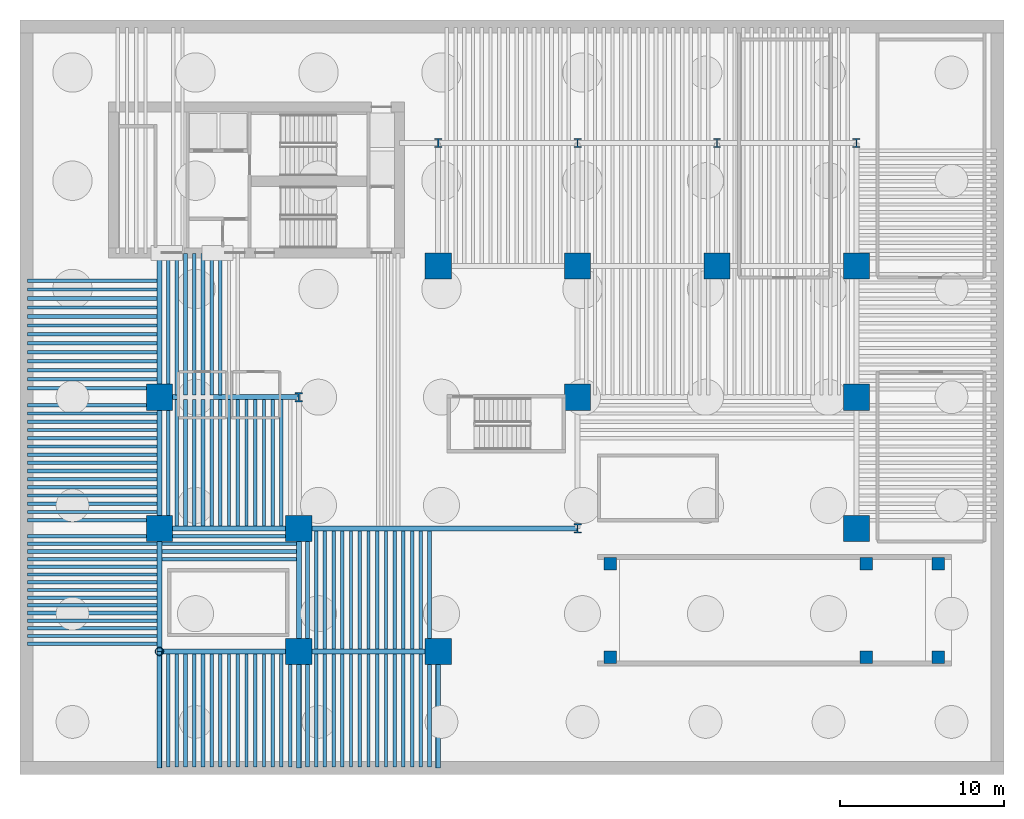
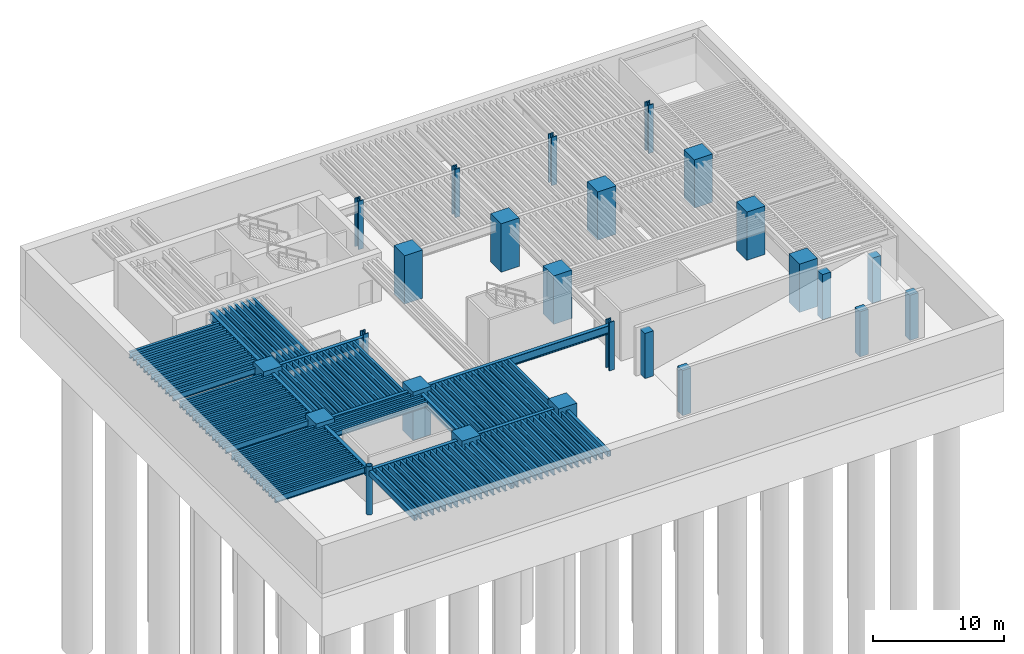
# One storey, part 2 of 11: 125 beams, 25 columns.
"""IFC4 building model written with IfcOpenShell, lengths in metres."""

from ifc_helpers import new_model, si_unit, direction, frame, origin, origin_2d, place, context, subcontext, project, spatial, rectangle, hollow_rectangle, hollow_circle, i_section, extrude, material, material_profile, profile_set, type_object, element, save


model = new_model("IFC4")

# Units and contexts
model_context = context("Model", 3, precision=1e-05, world=origin(), true_north=direction((0.0, 1.0)))
body_context = subcontext(model_context, "Body", "Model", "MODEL_VIEW")
ifc_project = project(units=[si_unit("LENGTHUNIT", "METRE"), si_unit("AREAUNIT", "SQUARE_METRE"), si_unit("VOLUMEUNIT", "CUBIC_METRE"), si_unit("PLANEANGLEUNIT", "RADIAN"), si_unit("MASSUNIT", "GRAM", prefix="KILO")], contexts=[model_context])

# Site, building, storey
site_placement = place(None, origin())
site = spatial("IfcSite", under=ifc_project, at=site_placement, CompositionType="ELEMENT")
building_placement = place(site_placement, origin())
building = spatial("IfcBuilding", under=site, at=building_placement, Name="Caeloran Harvest Quay", CompositionType="ELEMENT")
storey_placement = place(building_placement, frame((0.0, 0.0, -18.0)))
storey = spatial("IfcBuildingStorey", under=building, at=storey_placement, Name="B04", CompositionType="ELEMENT", Elevation=-18.0)

# Columns
ifc_material_1 = material(Name="Steel HISTAR 460", Category="steel")
ifc_material_profile_1 = material_profile(ifc_material_1, hollow_circle(Radius=0.25390625, WallThickness=0.02490234375, at=origin_2d()), Name="CHS 508x25")
ifc_profile_set_1 = profile_set([ifc_material_profile_1], Name="Steel HISTAR 460")
column_type_1 = type_object("IfcColumnType", Name="COL-CC-1-CHS_508x25", PredefinedType="COLUMN", material=ifc_profile_set_1)
column_placement = place(storey_placement, frame((8.5, 7.5, 0.0), z_axis=(0.0, 0.0, 1.0), x_axis=(1.0, 0.0, 0.0)))
element("IfcColumn", 1, at=column_placement, inside=storey, type_object=column_type_1, Name="B04 Structural Column (8.5, 7.5)", PredefinedType="COLUMN", context=body_context, shape_type="SweptSolid", body=[
    extrude(hollow_circle(Radius=0.25390625, WallThickness=0.02490234375, at=origin_2d()), origin(), (0.0, 0.0, 1.0), 4.5),
])
ifc_material_2 = material(Name="Concrete C80/95", Category="concrete")
ifc_material_profile_2 = material_profile(ifc_material_2, rectangle(XDim=1.60009765625, YDim=1.60009765625, at=origin_2d()), Name="RC 1600x1600")
ifc_profile_set_2 = profile_set([ifc_material_profile_2], Name="Concrete C80/95")
column_type_2 = type_object("IfcColumnType", Name="COL-MC-1-RC_1600x1600", PredefinedType="COLUMN", material=ifc_profile_set_2)
for number, where, z_axis, x_axis, name in (
    (2, (8.5, 15.0, 0.0), (0.0, 0.0, 1.0), (1.0, 0.0, 0.0), "B04 Structural Column (8.5, 15.0)"),
    (3, (8.5, 23.0, 0.0), (0.0, 0.0, 1.0), (1.0, 0.0, 0.0), "B04 Structural Column (8.5, 23.0)"),
    (4, (17.0, 7.5, 0.0), (0.0, 0.0, 1.0), (1.0, 0.0, 0.0), "B04 Structural Column (17.0, 7.5)"),
    (5, (17.0, 15.0, 0.0), (0.0, 0.0, 1.0), (1.0, 0.0, 0.0), "B04 Structural Column (17.0, 15.0)"),
    (6, (25.5, 7.5, 0.0), (0.0, 0.0, 1.0), (1.0, 0.0, 0.0), "B04 Structural Column (25.5, 7.5)"),
    (7, (25.5, 31.0, 0.0), (0.0, 0.0, 1.0), (1.0, 0.0, 0.0), "B04 Structural Column (25.5, 31.0)"),
    (8, (34.0, 23.0, 0.0), (0.0, 0.0, 1.0), (1.0, 0.0, 0.0), "B04 Structural Column (34.0, 23.0)"),
    (9, (34.0, 31.0, 0.0), (0.0, 0.0, 1.0), (1.0, 0.0, 0.0), "B04 Structural Column (34.0, 31.0)"),
    (10, (42.5, 31.0, 0.0), (0.0, 0.0, 1.0), (1.0, 0.0, 0.0), "B04 Structural Column (42.5, 31.0)"),
    (11, (51.0, 15.0, 0.0), (0.0, 0.0, 1.0), (1.0, 0.0, 0.0), "B04 Structural Column (51.0, 15.0)"),
    (12, (51.0, 23.0, 0.0), (0.0, 0.0, 1.0), (1.0, 0.0, 0.0), "B04 Structural Column (51.0, 23.0)"),
    (13, (51.0, 31.0, 0.0), (0.0, 0.0, 1.0), (1.0, 0.0, 0.0), "B04 Structural Column (51.0, 31.0)"),
):
    element("IfcColumn", number, at=place(storey_placement, frame(where, z_axis=z_axis, x_axis=x_axis)), inside=storey, type_object=column_type_2, Name=name, PredefinedType="COLUMN", context=body_context, shape_type="SweptSolid", body=[
        extrude(rectangle(XDim=1.60009765625, YDim=1.60009765625, at=origin_2d()), origin(), (0.0, 0.0, 1.0), 4.5),
    ])
ifc_material_3 = material(Name="Concrete C60/75", Category="concrete")
ifc_material_profile_3 = material_profile(ifc_material_3, rectangle(XDim=0.75, YDim=0.75, at=origin_2d()), Name="RC 750x750")
ifc_profile_set_3 = profile_set([ifc_material_profile_3], Name="Concrete C60/75")
column_type_3 = type_object("IfcColumnType", Name="COL-MC-5-RC_750x750", PredefinedType="COLUMN", material=ifc_profile_set_3)
for number, where, z_axis, x_axis, name in (
    (14, (36.0, 7.14990234375, 0.0), (0.0, 0.0, 1.0), (1.0, 0.0, 0.0), "B04 Vehicle Ramp Support Pier (36.0, 7.2)"),
    (15, (36.0, 12.85009765625, 0.0), (0.0, 0.0, 1.0), (1.0, 0.0, 0.0), "B04 Vehicle Ramp Support Pier (36.0, 12.8)"),
    (16, (51.60009765625, 7.14990234375, 0.0), (0.0, 0.0, 1.0), (1.0, 0.0, 0.0), "B04 Vehicle Ramp Support Pier (51.6, 7.2)"),
    (17, (51.60009765625, 12.85009765625, 0.0), (0.0, 0.0, 1.0), (1.0, 0.0, 0.0), "B04 Vehicle Ramp Support Pier (51.6, 12.8)"),
    (18, (56.0, 7.14990234375, 0.0), (0.0, 0.0, 1.0), (1.0, 0.0, 0.0), "B04 Vehicle Ramp Support Pier (56.0, 7.2)"),
    (19, (56.0, 12.85009765625, 0.0), (0.0, 0.0, 1.0), (1.0, 0.0, 0.0), "B04 Vehicle Ramp Support Pier (56.0, 12.8)"),
):
    element("IfcColumn", number, at=place(storey_placement, frame(where, z_axis=z_axis, x_axis=x_axis)), inside=storey, type_object=column_type_3, Name=name, PredefinedType="COLUMN", context=body_context, shape_type="SweptSolid", body=[
        extrude(rectangle(XDim=0.75, YDim=0.75, at=origin_2d()), origin(), (0.0, 0.0, 1.0), 4.199951171875),
    ])
ifc_material_profile_4 = material_profile(ifc_material_1, i_section(OverallWidth=0.4541015625, OverallDepth=0.569091796875, WebThickness=0.077880859375, FlangeThickness=0.080078125, FilletRadius=0.014892578125, at=origin_2d()), Name="HD 400x1086")
ifc_profile_set_4 = profile_set([ifc_material_profile_4], Name="Steel HISTAR 460")
column_type_4 = type_object("IfcColumnType", Name="COL-SC-1-HD_400x1086", PredefinedType="COLUMN", material=ifc_profile_set_4)
for number, where, z_axis, x_axis, name in (
    (20, (17.0, 23.0, 0.0), (0.0, 0.0, 1.0), (1.0, 0.0, 0.0), "B04 Structural Column (17.0, 23.0)"),
    (21, (25.5, 38.5, 0.0), (0.0, 0.0, 1.0), (1.0, 0.0, 0.0), "B04 Structural Column (25.5, 38.5)"),
    (22, (34.0, 15.0, 0.0), (0.0, 0.0, 1.0), (1.0, 0.0, 0.0), "B04 Structural Column (34.0, 15.0)"),
    (23, (34.0, 38.5, 0.0), (0.0, 0.0, 1.0), (1.0, 0.0, 0.0), "B04 Structural Column (34.0, 38.5)"),
    (24, (42.5, 38.5, 0.0), (0.0, 0.0, 1.0), (1.0, 0.0, 0.0), "B04 Structural Column (42.5, 38.5)"),
    (25, (51.0, 38.5, 0.0), (0.0, 0.0, 1.0), (1.0, 0.0, 0.0), "B04 Structural Column (51.0, 38.5)"),
):
    element("IfcColumn", number, at=place(storey_placement, frame(where, z_axis=z_axis, x_axis=x_axis)), inside=storey, type_object=column_type_4, Name=name, PredefinedType="COLUMN", context=body_context, shape_type="SweptSolid", body=[
        extrude(i_section(OverallWidth=0.4541015625, OverallDepth=0.569091796875, WebThickness=0.077880859375, FlangeThickness=0.080078125, FilletRadius=0.014892578125, at=origin_2d()), origin(), (0.0, 0.0, 1.0), 4.5),
    ])

# Beams
ifc_material_4 = material(Name="Steel S355J2", Category="steel")
ifc_material_profile_5 = material_profile(ifc_material_4, i_section(OverallWidth=0.300048828125, OverallDepth=0.800048828125, WebThickness=0.017578125, FlangeThickness=0.032958984375, FilletRadius=0.030029296875, at=origin_2d()), Name="HE 800 B")
ifc_profile_set_5 = profile_set([ifc_material_profile_5], Name="Steel S355J2")
beam_type_1 = type_object("IfcBeamType", Name="BM-PG-1-HE_800_B", PredefinedType="BEAM", material=ifc_profile_set_5)
for number, where, z_axis, x_axis, name in (
    (26, (8.5, 7.5, 3.735107421875), (1.0, 0.0, 0.0), (0.0, 1.0, 0.0), "B04 Primary East-West Girder Y=7.5"),
    (27, (17.0, 7.5, 3.735107421875), (1.0, 0.0, 0.0), (0.0, 1.0, 0.0), "B04 Primary East-West Girder Y=7.5"),
    (28, (8.5, 15.0, 3.735107421875), (1.0, 0.0, 0.0), (0.0, 1.0, 0.0), "B04 Primary East-West Girder Y=15.0"),
):
    element("IfcBeam", number, at=place(storey_placement, frame(where, z_axis=z_axis, x_axis=x_axis)), inside=storey, type_object=beam_type_1, Name=name, PredefinedType="BEAM", context=body_context, shape_type="SweptSolid", body=[
        extrude(i_section(OverallWidth=0.300048828125, OverallDepth=0.800048828125, WebThickness=0.017578125, FlangeThickness=0.032958984375, FilletRadius=0.030029296875, at=origin_2d()), origin(), (0.0, 0.0, 1.0), 8.5),
    ])
beam_1_placement = place(storey_placement, frame((17.0, 15.0, 3.735107421875), z_axis=(1.0, 0.0, 0.0), x_axis=(0.0, 1.0, 0.0)))
element("IfcBeam", 29, at=beam_1_placement, inside=storey, type_object=beam_type_1, Name="B04 Primary East-West Girder Y=15.0", PredefinedType="BEAM", context=body_context, shape_type="SweptSolid", body=[
    extrude(i_section(OverallWidth=0.300048828125, OverallDepth=0.800048828125, WebThickness=0.017578125, FlangeThickness=0.032958984375, FilletRadius=0.030029296875, at=origin_2d()), origin(), (0.0, 0.0, 1.0), 17.0),
])
beam_2_placement = place(storey_placement, frame((8.5, 23.0, 3.735107421875), z_axis=(1.0, 0.0, 0.0), x_axis=(0.0, 1.0, 0.0)))
element("IfcBeam", 30, at=beam_2_placement, inside=storey, type_object=beam_type_1, Name="B04 Primary East-West Girder Y=23.0", PredefinedType="BEAM", context=body_context, shape_type="SweptSolid", body=[
    extrude(i_section(OverallWidth=0.300048828125, OverallDepth=0.800048828125, WebThickness=0.017578125, FlangeThickness=0.032958984375, FilletRadius=0.030029296875, at=origin_2d()), origin(), (0.0, 0.0, 1.0), 8.5),
])
beam_3_placement = place(storey_placement, frame((8.5, 7.5, 3.735107421875), z_axis=(0.0, 1.0, 0.0), x_axis=(-1.0, 0.0, 0.0)))
element("IfcBeam", 31, at=beam_3_placement, inside=storey, type_object=beam_type_1, Name="B04 Primary North-South Girder X=8.5", PredefinedType="BEAM", context=body_context, shape_type="SweptSolid", body=[
    extrude(i_section(OverallWidth=0.300048828125, OverallDepth=0.800048828125, WebThickness=0.017578125, FlangeThickness=0.032958984375, FilletRadius=0.030029296875, at=origin_2d()), origin(), (0.0, 0.0, 1.0), 7.5),
])
beam_4_placement = place(storey_placement, frame((8.5, 15.0, 3.735107421875), z_axis=(0.0, 1.0, 0.0), x_axis=(-1.0, 0.0, 0.0)))
element("IfcBeam", 32, at=beam_4_placement, inside=storey, type_object=beam_type_1, Name="B04 Primary North-South Girder X=8.5", PredefinedType="BEAM", context=body_context, shape_type="SweptSolid", body=[
    extrude(i_section(OverallWidth=0.300048828125, OverallDepth=0.800048828125, WebThickness=0.017578125, FlangeThickness=0.032958984375, FilletRadius=0.030029296875, at=origin_2d()), origin(), (0.0, 0.0, 1.0), 8.0),
])
beam_5_placement = place(storey_placement, frame((8.5, 23.0, 3.735107421875), z_axis=(0.0, 1.0, 0.0), x_axis=(-1.0, 0.0, 0.0)))
element("IfcBeam", 33, at=beam_5_placement, inside=storey, type_object=beam_type_1, Name="B04 Core South Tie Girder X=8.5", PredefinedType="BEAM", context=body_context, shape_type="SweptSolid", body=[
    extrude(i_section(OverallWidth=0.300048828125, OverallDepth=0.800048828125, WebThickness=0.017578125, FlangeThickness=0.032958984375, FilletRadius=0.030029296875, at=origin_2d()), origin(), (0.0, 0.0, 1.0), 8.75),
])
beam_6_placement = place(storey_placement, frame((17.0, 7.5, 3.735107421875), z_axis=(0.0, 1.0, 0.0), x_axis=(-1.0, 0.0, 0.0)))
element("IfcBeam", 34, at=beam_6_placement, inside=storey, type_object=beam_type_1, Name="B04 Primary North-South Girder X=17.0", PredefinedType="BEAM", context=body_context, shape_type="SweptSolid", body=[
    extrude(i_section(OverallWidth=0.300048828125, OverallDepth=0.800048828125, WebThickness=0.017578125, FlangeThickness=0.032958984375, FilletRadius=0.030029296875, at=origin_2d()), origin(), (0.0, 0.0, 1.0), 7.5),
])
ifc_material_profile_6 = material_profile(ifc_material_4, i_section(OverallWidth=0.219970703125, OverallDepth=0.60009765625, WebThickness=0.011962890625, FlangeThickness=0.01904296875, FilletRadius=0.02392578125, at=origin_2d()), Name="IPE 600")
ifc_profile_set_6 = profile_set([ifc_material_profile_6], Name="Steel S355J2")
beam_type_2 = type_object("IfcBeamType", Name="BM-SB-1-IPE_600", PredefinedType="JOIST", material=ifc_profile_set_6)
for number, where, z_axis, x_axis, name in (
    (35, (9.03125, 0.449951171875, 3.8349609375), (0.0, 1.0, 0.0), (-1.0, 0.0, 0.0), "B04 Secondary Composite Joist"),
    (36, (10.09375, 0.449951171875, 3.8349609375), (0.0, 1.0, 0.0), (-1.0, 0.0, 0.0), "B04 Secondary Composite Joist"),
    (37, (11.15625, 0.449951171875, 3.8349609375), (0.0, 1.0, 0.0), (-1.0, 0.0, 0.0), "B04 Secondary Composite Joist"),
    (38, (12.21875, 0.449951171875, 3.8349609375), (0.0, 1.0, 0.0), (-1.0, 0.0, 0.0), "B04 Secondary Composite Joist"),
    (39, (13.28125, 0.449951171875, 3.8349609375), (0.0, 1.0, 0.0), (-1.0, 0.0, 0.0), "B04 Secondary Composite Joist"),
    (40, (14.34375, 0.449951171875, 3.8349609375), (0.0, 1.0, 0.0), (-1.0, 0.0, 0.0), "B04 Secondary Composite Joist"),
    (41, (15.40625, 0.449951171875, 3.8349609375), (0.0, 1.0, 0.0), (-1.0, 0.0, 0.0), "B04 Secondary Composite Joist"),
    (42, (16.46875, 0.449951171875, 3.8349609375), (0.0, 1.0, 0.0), (-1.0, 0.0, 0.0), "B04 Secondary Composite Joist"),
    (43, (17.53125, 0.449951171875, 3.8349609375), (0.0, 1.0, 0.0), (-1.0, 0.0, 0.0), "B04 Secondary Composite Joist"),
    (44, (18.59375, 0.449951171875, 3.8349609375), (0.0, 1.0, 0.0), (-1.0, 0.0, 0.0), "B04 Secondary Composite Joist"),
    (45, (19.65625, 0.449951171875, 3.8349609375), (0.0, 1.0, 0.0), (-1.0, 0.0, 0.0), "B04 Secondary Composite Joist"),
    (46, (20.71875, 0.449951171875, 3.8349609375), (0.0, 1.0, 0.0), (-1.0, 0.0, 0.0), "B04 Secondary Composite Joist"),
    (47, (21.78125, 0.449951171875, 3.8349609375), (0.0, 1.0, 0.0), (-1.0, 0.0, 0.0), "B04 Secondary Composite Joist"),
    (48, (22.84375, 0.449951171875, 3.8349609375), (0.0, 1.0, 0.0), (-1.0, 0.0, 0.0), "B04 Secondary Composite Joist"),
    (49, (23.90625, 0.449951171875, 3.8349609375), (0.0, 1.0, 0.0), (-1.0, 0.0, 0.0), "B04 Secondary Composite Joist"),
    (50, (24.96875, 0.449951171875, 3.8349609375), (0.0, 1.0, 0.0), (-1.0, 0.0, 0.0), "B04 Secondary Composite Joist"),
):
    element("IfcBeam", number, at=place(storey_placement, frame(where, z_axis=z_axis, x_axis=x_axis)), inside=storey, type_object=beam_type_2, Name=name, PredefinedType="JOIST", context=body_context, shape_type="SweptSolid", body=[
        extrude(i_section(OverallWidth=0.219970703125, OverallDepth=0.60009765625, WebThickness=0.011962890625, FlangeThickness=0.01904296875, FilletRadius=0.02392578125, at=origin_2d()), origin(), (0.0, 0.0, 1.0), 6.905029296875),
    ])
for number, where, z_axis, x_axis, name in (
    (51, (17.53125, 7.64501953125, 3.8349609375), (0.0, 1.0, 0.0), (-1.0, 0.0, 0.0), "B04 Secondary Composite Joist"),
    (52, (18.59375, 7.64501953125, 3.8349609375), (0.0, 1.0, 0.0), (-1.0, 0.0, 0.0), "B04 Secondary Composite Joist"),
    (53, (19.65625, 7.64501953125, 3.8349609375), (0.0, 1.0, 0.0), (-1.0, 0.0, 0.0), "B04 Secondary Composite Joist"),
    (54, (20.71875, 7.64501953125, 3.8349609375), (0.0, 1.0, 0.0), (-1.0, 0.0, 0.0), "B04 Secondary Composite Joist"),
    (55, (21.78125, 7.64501953125, 3.8349609375), (0.0, 1.0, 0.0), (-1.0, 0.0, 0.0), "B04 Secondary Composite Joist"),
    (56, (22.84375, 7.64501953125, 3.8349609375), (0.0, 1.0, 0.0), (-1.0, 0.0, 0.0), "B04 Secondary Composite Joist"),
    (57, (23.90625, 7.64501953125, 3.8349609375), (0.0, 1.0, 0.0), (-1.0, 0.0, 0.0), "B04 Secondary Composite Joist"),
    (58, (24.96875, 7.64501953125, 3.8349609375), (0.0, 1.0, 0.0), (-1.0, 0.0, 0.0), "B04 Secondary Composite Joist"),
):
    element("IfcBeam", number, at=place(storey_placement, frame(where, z_axis=z_axis, x_axis=x_axis)), inside=storey, type_object=beam_type_2, Name=name, PredefinedType="JOIST", context=body_context, shape_type="SweptSolid", body=[
        extrude(i_section(OverallWidth=0.219970703125, OverallDepth=0.60009765625, WebThickness=0.011962890625, FlangeThickness=0.01904296875, FilletRadius=0.02392578125, at=origin_2d()), origin(), (0.0, 0.0, 1.0), 7.2099609375),
    ])
for number, where, z_axis, x_axis, name in (
    (59, (9.03125, 15.14501953125, 3.8349609375), (0.0, 1.0, 0.0), (-1.0, 0.0, 0.0), "B04 Secondary Composite Joist"),
    (60, (10.09375, 15.14501953125, 3.8349609375), (0.0, 1.0, 0.0), (-1.0, 0.0, 0.0), "B04 Secondary Composite Joist"),
    (61, (11.15625, 15.14501953125, 3.8349609375), (0.0, 1.0, 0.0), (-1.0, 0.0, 0.0), "B04 Secondary Composite Joist"),
    (62, (12.21875, 15.14501953125, 3.8349609375), (0.0, 1.0, 0.0), (-1.0, 0.0, 0.0), "B04 Secondary Composite Joist"),
    (63, (13.28125, 15.14501953125, 3.8349609375), (0.0, 1.0, 0.0), (-1.0, 0.0, 0.0), "B04 Secondary Composite Joist"),
    (64, (14.34375, 15.14501953125, 3.8349609375), (0.0, 1.0, 0.0), (-1.0, 0.0, 0.0), "B04 Secondary Composite Joist"),
    (65, (15.40625, 15.14501953125, 3.8349609375), (0.0, 1.0, 0.0), (-1.0, 0.0, 0.0), "B04 Secondary Composite Joist"),
):
    element("IfcBeam", number, at=place(storey_placement, frame(where, z_axis=z_axis, x_axis=x_axis)), inside=storey, type_object=beam_type_2, Name=name, PredefinedType="JOIST", context=body_context, shape_type="SweptSolid", body=[
        extrude(i_section(OverallWidth=0.219970703125, OverallDepth=0.60009765625, WebThickness=0.011962890625, FlangeThickness=0.01904296875, FilletRadius=0.02392578125, at=origin_2d()), origin(), (0.0, 0.0, 1.0), 7.7099609375),
    ])
for number, where, z_axis, x_axis, name in (
    (66, (9.03125, 23.14501953125, 3.8349609375), (0.0, 1.0, 0.0), (-1.0, 0.0, 0.0), "B04 Secondary Composite Joist"),
    (67, (10.09375, 23.14501953125, 3.8349609375), (0.0, 1.0, 0.0), (-1.0, 0.0, 0.0), "B04 Secondary Composite Joist"),
    (68, (11.15625, 23.14501953125, 3.8349609375), (0.0, 1.0, 0.0), (-1.0, 0.0, 0.0), "B04 Secondary Composite Joist"),
    (69, (12.21875, 23.14501953125, 3.8349609375), (0.0, 1.0, 0.0), (-1.0, 0.0, 0.0), "B04 Secondary Composite Joist"),
):
    element("IfcBeam", number, at=place(storey_placement, frame(where, z_axis=z_axis, x_axis=x_axis)), inside=storey, type_object=beam_type_2, Name=name, PredefinedType="JOIST", context=body_context, shape_type="SweptSolid", body=[
        extrude(i_section(OverallWidth=0.219970703125, OverallDepth=0.60009765625, WebThickness=0.011962890625, FlangeThickness=0.01904296875, FilletRadius=0.02392578125, at=origin_2d()), origin(), (0.0, 0.0, 1.0), 8.60498046875),
    ])
for number, where, z_axis, x_axis, name in (
    (70, (0.449951171875, 7.96875, 3.8349609375), (1.0, 0.0, 0.0), (0.0, 1.0, 0.0), "B04 Secondary East-West Composite Joist"),
    (71, (0.449951171875, 8.90625, 3.8349609375), (1.0, 0.0, 0.0), (0.0, 1.0, 0.0), "B04 Secondary East-West Composite Joist"),
    (72, (0.449951171875, 9.84375, 3.8349609375), (1.0, 0.0, 0.0), (0.0, 1.0, 0.0), "B04 Secondary East-West Composite Joist"),
    (73, (0.449951171875, 10.78125, 3.8349609375), (1.0, 0.0, 0.0), (0.0, 1.0, 0.0), "B04 Secondary East-West Composite Joist"),
    (74, (0.449951171875, 11.71875, 3.8349609375), (1.0, 0.0, 0.0), (0.0, 1.0, 0.0), "B04 Secondary East-West Composite Joist"),
    (75, (0.449951171875, 12.65625, 3.8349609375), (1.0, 0.0, 0.0), (0.0, 1.0, 0.0), "B04 Secondary East-West Composite Joist"),
    (76, (0.449951171875, 13.59375, 3.8349609375), (1.0, 0.0, 0.0), (0.0, 1.0, 0.0), "B04 Secondary East-West Composite Joist"),
    (77, (0.449951171875, 14.53125, 3.8349609375), (1.0, 0.0, 0.0), (0.0, 1.0, 0.0), "B04 Secondary East-West Composite Joist"),
    (78, (0.449951171875, 15.5, 3.8349609375), (1.0, 0.0, 0.0), (0.0, 1.0, 0.0), "B04 Secondary East-West Composite Joist"),
    (79, (0.449951171875, 16.5, 3.8349609375), (1.0, 0.0, 0.0), (0.0, 1.0, 0.0), "B04 Secondary East-West Composite Joist"),
    (80, (0.449951171875, 17.5, 3.8349609375), (1.0, 0.0, 0.0), (0.0, 1.0, 0.0), "B04 Secondary East-West Composite Joist"),
    (81, (0.449951171875, 18.5, 3.8349609375), (1.0, 0.0, 0.0), (0.0, 1.0, 0.0), "B04 Secondary East-West Composite Joist"),
    (82, (0.449951171875, 19.5, 3.8349609375), (1.0, 0.0, 0.0), (0.0, 1.0, 0.0), "B04 Secondary East-West Composite Joist"),
    (83, (0.449951171875, 20.5, 3.8349609375), (1.0, 0.0, 0.0), (0.0, 1.0, 0.0), "B04 Secondary East-West Composite Joist"),
    (84, (0.449951171875, 21.5, 3.8349609375), (1.0, 0.0, 0.0), (0.0, 1.0, 0.0), "B04 Secondary East-West Composite Joist"),
    (85, (0.449951171875, 22.5, 3.8349609375), (1.0, 0.0, 0.0), (0.0, 1.0, 0.0), "B04 Secondary East-West Composite Joist"),
    (86, (0.449951171875, 23.546875, 3.8349609375), (1.0, 0.0, 0.0), (0.0, 1.0, 0.0), "B04 Secondary East-West Composite Joist"),
    (87, (0.449951171875, 24.640625, 3.8349609375), (1.0, 0.0, 0.0), (0.0, 1.0, 0.0), "B04 Secondary East-West Composite Joist"),
    (88, (0.449951171875, 25.734375, 3.8349609375), (1.0, 0.0, 0.0), (0.0, 1.0, 0.0), "B04 Secondary East-West Composite Joist"),
    (89, (0.449951171875, 26.828125, 3.8349609375), (1.0, 0.0, 0.0), (0.0, 1.0, 0.0), "B04 Secondary East-West Composite Joist"),
    (90, (0.449951171875, 27.921875, 3.8349609375), (1.0, 0.0, 0.0), (0.0, 1.0, 0.0), "B04 Secondary East-West Composite Joist"),
    (91, (0.449951171875, 29.015625, 3.8349609375), (1.0, 0.0, 0.0), (0.0, 1.0, 0.0), "B04 Secondary East-West Composite Joist"),
    (92, (0.449951171875, 30.109375, 3.8349609375), (1.0, 0.0, 0.0), (0.0, 1.0, 0.0), "B04 Secondary East-West Composite Joist"),
):
    element("IfcBeam", number, at=place(storey_placement, frame(where, z_axis=z_axis, x_axis=x_axis)), inside=storey, type_object=beam_type_2, Name=name, PredefinedType="JOIST", context=body_context, shape_type="SweptSolid", body=[
        extrude(i_section(OverallWidth=0.219970703125, OverallDepth=0.60009765625, WebThickness=0.011962890625, FlangeThickness=0.01904296875, FilletRadius=0.02392578125, at=origin_2d()), origin(), (0.0, 0.0, 1.0), 7.905029296875),
    ])
for number, where, z_axis, x_axis, name in (
    (93, (8.64501953125, 13.59375, 3.8349609375), (1.0, 0.0, 0.0), (0.0, 1.0, 0.0), "B04 Secondary East-West Composite Joist"),
    (94, (8.64501953125, 14.53125, 3.8349609375), (1.0, 0.0, 0.0), (0.0, 1.0, 0.0), "B04 Secondary East-West Composite Joist"),
):
    element("IfcBeam", number, at=place(storey_placement, frame(where, z_axis=z_axis, x_axis=x_axis)), inside=storey, type_object=beam_type_2, Name=name, PredefinedType="JOIST", context=body_context, shape_type="SweptSolid", body=[
        extrude(i_section(OverallWidth=0.219970703125, OverallDepth=0.60009765625, WebThickness=0.011962890625, FlangeThickness=0.01904296875, FilletRadius=0.02392578125, at=origin_2d()), origin(), (0.0, 0.0, 1.0), 8.2099609375),
    ])
ifc_material_profile_7 = material_profile(ifc_material_4, i_section(OverallWidth=0.199951171875, OverallDepth=0.5, WebThickness=0.01025390625, FlangeThickness=0.01611328125, FilletRadius=0.02099609375, at=origin_2d()), Name="IPE 500")
ifc_profile_set_7 = profile_set([ifc_material_profile_7], Name="Steel S355J2")
beam_type_3 = type_object("IfcBeamType", Name="BM-SB-2-IPE_500", PredefinedType="JOIST", material=ifc_profile_set_7)
for number, where, z_axis, x_axis, name in (
    (95, (9.5625, 0.449951171875, 3.885009765625), (0.0, 1.0, 0.0), (-1.0, 0.0, 0.0), "B04 Secondary Composite Joist"),
    (96, (10.625, 0.449951171875, 3.885009765625), (0.0, 1.0, 0.0), (-1.0, 0.0, 0.0), "B04 Secondary Composite Joist"),
    (97, (11.6875, 0.449951171875, 3.885009765625), (0.0, 1.0, 0.0), (-1.0, 0.0, 0.0), "B04 Secondary Composite Joist"),
    (98, (12.75, 0.449951171875, 3.885009765625), (0.0, 1.0, 0.0), (-1.0, 0.0, 0.0), "B04 Secondary Composite Joist"),
    (99, (13.8125, 0.449951171875, 3.885009765625), (0.0, 1.0, 0.0), (-1.0, 0.0, 0.0), "B04 Secondary Composite Joist"),
    (100, (14.875, 0.449951171875, 3.885009765625), (0.0, 1.0, 0.0), (-1.0, 0.0, 0.0), "B04 Secondary Composite Joist"),
    (101, (15.9375, 0.449951171875, 3.885009765625), (0.0, 1.0, 0.0), (-1.0, 0.0, 0.0), "B04 Secondary Composite Joist"),
    (102, (18.0625, 0.449951171875, 3.885009765625), (0.0, 1.0, 0.0), (-1.0, 0.0, 0.0), "B04 Secondary Composite Joist"),
    (103, (19.125, 0.449951171875, 3.885009765625), (0.0, 1.0, 0.0), (-1.0, 0.0, 0.0), "B04 Secondary Composite Joist"),
    (104, (20.1875, 0.449951171875, 3.885009765625), (0.0, 1.0, 0.0), (-1.0, 0.0, 0.0), "B04 Secondary Composite Joist"),
    (105, (21.25, 0.449951171875, 3.885009765625), (0.0, 1.0, 0.0), (-1.0, 0.0, 0.0), "B04 Secondary Composite Joist"),
    (106, (22.3125, 0.449951171875, 3.885009765625), (0.0, 1.0, 0.0), (-1.0, 0.0, 0.0), "B04 Secondary Composite Joist"),
    (107, (23.375, 0.449951171875, 3.885009765625), (0.0, 1.0, 0.0), (-1.0, 0.0, 0.0), "B04 Secondary Composite Joist"),
    (108, (24.4375, 0.449951171875, 3.885009765625), (0.0, 1.0, 0.0), (-1.0, 0.0, 0.0), "B04 Secondary Composite Joist"),
):
    element("IfcBeam", number, at=place(storey_placement, frame(where, z_axis=z_axis, x_axis=x_axis)), inside=storey, type_object=beam_type_3, Name=name, PredefinedType="JOIST", context=body_context, shape_type="SweptSolid", body=[
        extrude(i_section(OverallWidth=0.199951171875, OverallDepth=0.5, WebThickness=0.01025390625, FlangeThickness=0.01611328125, FilletRadius=0.02099609375, at=origin_2d()), origin(), (0.0, 0.0, 1.0), 6.905029296875),
    ])
for number, where, z_axis, x_axis, name in (
    (109, (18.0625, 7.64501953125, 3.885009765625), (0.0, 1.0, 0.0), (-1.0, 0.0, 0.0), "B04 Secondary Composite Joist"),
    (110, (19.125, 7.64501953125, 3.885009765625), (0.0, 1.0, 0.0), (-1.0, 0.0, 0.0), "B04 Secondary Composite Joist"),
    (111, (20.1875, 7.64501953125, 3.885009765625), (0.0, 1.0, 0.0), (-1.0, 0.0, 0.0), "B04 Secondary Composite Joist"),
    (112, (21.25, 7.64501953125, 3.885009765625), (0.0, 1.0, 0.0), (-1.0, 0.0, 0.0), "B04 Secondary Composite Joist"),
    (113, (22.3125, 7.64501953125, 3.885009765625), (0.0, 1.0, 0.0), (-1.0, 0.0, 0.0), "B04 Secondary Composite Joist"),
    (114, (23.375, 7.64501953125, 3.885009765625), (0.0, 1.0, 0.0), (-1.0, 0.0, 0.0), "B04 Secondary Composite Joist"),
    (115, (24.4375, 7.64501953125, 3.885009765625), (0.0, 1.0, 0.0), (-1.0, 0.0, 0.0), "B04 Secondary Composite Joist"),
):
    element("IfcBeam", number, at=place(storey_placement, frame(where, z_axis=z_axis, x_axis=x_axis)), inside=storey, type_object=beam_type_3, Name=name, PredefinedType="JOIST", context=body_context, shape_type="SweptSolid", body=[
        extrude(i_section(OverallWidth=0.199951171875, OverallDepth=0.5, WebThickness=0.01025390625, FlangeThickness=0.01611328125, FilletRadius=0.02099609375, at=origin_2d()), origin(), (0.0, 0.0, 1.0), 7.2099609375),
    ])
for number, where, z_axis, x_axis, name in (
    (116, (9.5625, 15.14501953125, 3.885009765625), (0.0, 1.0, 0.0), (-1.0, 0.0, 0.0), "B04 Secondary Composite Joist"),
    (117, (10.625, 15.14501953125, 3.885009765625), (0.0, 1.0, 0.0), (-1.0, 0.0, 0.0), "B04 Secondary Composite Joist"),
    (118, (11.6875, 15.14501953125, 3.885009765625), (0.0, 1.0, 0.0), (-1.0, 0.0, 0.0), "B04 Secondary Composite Joist"),
    (119, (12.75, 15.14501953125, 3.885009765625), (0.0, 1.0, 0.0), (-1.0, 0.0, 0.0), "B04 Secondary Composite Joist"),
    (120, (13.8125, 15.14501953125, 3.885009765625), (0.0, 1.0, 0.0), (-1.0, 0.0, 0.0), "B04 Secondary Composite Joist"),
    (121, (14.875, 15.14501953125, 3.885009765625), (0.0, 1.0, 0.0), (-1.0, 0.0, 0.0), "B04 Secondary Composite Joist"),
    (122, (15.9375, 15.14501953125, 3.885009765625), (0.0, 1.0, 0.0), (-1.0, 0.0, 0.0), "B04 Secondary Composite Joist"),
):
    element("IfcBeam", number, at=place(storey_placement, frame(where, z_axis=z_axis, x_axis=x_axis)), inside=storey, type_object=beam_type_3, Name=name, PredefinedType="JOIST", context=body_context, shape_type="SweptSolid", body=[
        extrude(i_section(OverallWidth=0.199951171875, OverallDepth=0.5, WebThickness=0.01025390625, FlangeThickness=0.01611328125, FilletRadius=0.02099609375, at=origin_2d()), origin(), (0.0, 0.0, 1.0), 7.7099609375),
    ])
for number, where, z_axis, x_axis, name in (
    (123, (9.5625, 23.14501953125, 3.885009765625), (0.0, 1.0, 0.0), (-1.0, 0.0, 0.0), "B04 Secondary Composite Joist"),
    (124, (10.625, 23.14501953125, 3.885009765625), (0.0, 1.0, 0.0), (-1.0, 0.0, 0.0), "B04 Secondary Composite Joist"),
    (125, (11.6875, 23.14501953125, 3.885009765625), (0.0, 1.0, 0.0), (-1.0, 0.0, 0.0), "B04 Secondary Composite Joist"),
):
    element("IfcBeam", number, at=place(storey_placement, frame(where, z_axis=z_axis, x_axis=x_axis)), inside=storey, type_object=beam_type_3, Name=name, PredefinedType="JOIST", context=body_context, shape_type="SweptSolid", body=[
        extrude(i_section(OverallWidth=0.199951171875, OverallDepth=0.5, WebThickness=0.01025390625, FlangeThickness=0.01611328125, FilletRadius=0.02099609375, at=origin_2d()), origin(), (0.0, 0.0, 1.0), 8.60498046875),
    ])
for number, where, z_axis, x_axis, name in (
    (126, (0.449951171875, 8.4375, 3.885009765625), (1.0, 0.0, 0.0), (0.0, 1.0, 0.0), "B04 Secondary East-West Composite Joist"),
    (127, (0.449951171875, 9.375, 3.885009765625), (1.0, 0.0, 0.0), (0.0, 1.0, 0.0), "B04 Secondary East-West Composite Joist"),
    (128, (0.449951171875, 10.3125, 3.885009765625), (1.0, 0.0, 0.0), (0.0, 1.0, 0.0), "B04 Secondary East-West Composite Joist"),
    (129, (0.449951171875, 11.25, 3.885009765625), (1.0, 0.0, 0.0), (0.0, 1.0, 0.0), "B04 Secondary East-West Composite Joist"),
    (130, (0.449951171875, 12.1875, 3.885009765625), (1.0, 0.0, 0.0), (0.0, 1.0, 0.0), "B04 Secondary East-West Composite Joist"),
    (131, (0.449951171875, 13.125, 3.885009765625), (1.0, 0.0, 0.0), (0.0, 1.0, 0.0), "B04 Secondary East-West Composite Joist"),
    (132, (0.449951171875, 14.0625, 3.885009765625), (1.0, 0.0, 0.0), (0.0, 1.0, 0.0), "B04 Secondary East-West Composite Joist"),
    (133, (0.449951171875, 16.0, 3.885009765625), (1.0, 0.0, 0.0), (0.0, 1.0, 0.0), "B04 Secondary East-West Composite Joist"),
    (134, (0.449951171875, 17.0, 3.885009765625), (1.0, 0.0, 0.0), (0.0, 1.0, 0.0), "B04 Secondary East-West Composite Joist"),
    (135, (0.449951171875, 18.0, 3.885009765625), (1.0, 0.0, 0.0), (0.0, 1.0, 0.0), "B04 Secondary East-West Composite Joist"),
    (136, (0.449951171875, 19.0, 3.885009765625), (1.0, 0.0, 0.0), (0.0, 1.0, 0.0), "B04 Secondary East-West Composite Joist"),
    (137, (0.449951171875, 20.0, 3.885009765625), (1.0, 0.0, 0.0), (0.0, 1.0, 0.0), "B04 Secondary East-West Composite Joist"),
    (138, (0.449951171875, 21.0, 3.885009765625), (1.0, 0.0, 0.0), (0.0, 1.0, 0.0), "B04 Secondary East-West Composite Joist"),
    (139, (0.449951171875, 22.0, 3.885009765625), (1.0, 0.0, 0.0), (0.0, 1.0, 0.0), "B04 Secondary East-West Composite Joist"),
    (140, (0.449951171875, 24.09375, 3.885009765625), (1.0, 0.0, 0.0), (0.0, 1.0, 0.0), "B04 Secondary East-West Composite Joist"),
    (141, (0.449951171875, 25.1875, 3.885009765625), (1.0, 0.0, 0.0), (0.0, 1.0, 0.0), "B04 Secondary East-West Composite Joist"),
    (142, (0.449951171875, 26.28125, 3.885009765625), (1.0, 0.0, 0.0), (0.0, 1.0, 0.0), "B04 Secondary East-West Composite Joist"),
    (143, (0.449951171875, 27.375, 3.885009765625), (1.0, 0.0, 0.0), (0.0, 1.0, 0.0), "B04 Secondary East-West Composite Joist"),
    (144, (0.449951171875, 28.46875, 3.885009765625), (1.0, 0.0, 0.0), (0.0, 1.0, 0.0), "B04 Secondary East-West Composite Joist"),
    (145, (0.449951171875, 29.5625, 3.885009765625), (1.0, 0.0, 0.0), (0.0, 1.0, 0.0), "B04 Secondary East-West Composite Joist"),
):
    element("IfcBeam", number, at=place(storey_placement, frame(where, z_axis=z_axis, x_axis=x_axis)), inside=storey, type_object=beam_type_3, Name=name, PredefinedType="JOIST", context=body_context, shape_type="SweptSolid", body=[
        extrude(i_section(OverallWidth=0.199951171875, OverallDepth=0.5, WebThickness=0.01025390625, FlangeThickness=0.01611328125, FilletRadius=0.02099609375, at=origin_2d()), origin(), (0.0, 0.0, 1.0), 7.905029296875),
    ])
for number, where, z_axis, x_axis, name in (
    (146, (8.64501953125, 13.125, 3.885009765625), (1.0, 0.0, 0.0), (0.0, 1.0, 0.0), "B04 Secondary East-West Composite Joist"),
    (147, (8.64501953125, 14.0625, 3.885009765625), (1.0, 0.0, 0.0), (0.0, 1.0, 0.0), "B04 Secondary East-West Composite Joist"),
):
    element("IfcBeam", number, at=place(storey_placement, frame(where, z_axis=z_axis, x_axis=x_axis)), inside=storey, type_object=beam_type_3, Name=name, PredefinedType="JOIST", context=body_context, shape_type="SweptSolid", body=[
        extrude(i_section(OverallWidth=0.199951171875, OverallDepth=0.5, WebThickness=0.01025390625, FlangeThickness=0.01611328125, FilletRadius=0.02099609375, at=origin_2d()), origin(), (0.0, 0.0, 1.0), 8.2099609375),
    ])
ifc_material_profile_8 = material_profile(ifc_material_4, hollow_rectangle(XDim=0.300048828125, YDim=0.5, WallThickness=0.02001953125, InnerFilletRadius=0.02001953125, OuterFilletRadius=0.030029296875, at=origin_2d()), Name="RHS 500x300x20")
ifc_profile_set_8 = profile_set([ifc_material_profile_8], Name="Steel S355J2")
beam_type_4 = type_object("IfcBeamType", Name="BM-SP-1-RHS_500x300x20", PredefinedType="SPANDREL", material=ifc_profile_set_8)
for number, where, z_axis, x_axis, name in (
    (148, (8.5, 0.39990234375, 3.885009765625), (0.0, 1.0, 0.0), (-1.0, 0.0, 0.0), "B04 Diaphragm Tie Spandrel Beam X=8.5"),
    (149, (17.0, 0.39990234375, 3.885009765625), (0.0, 1.0, 0.0), (-1.0, 0.0, 0.0), "B04 Diaphragm Tie Spandrel Beam X=17.0"),
    (150, (25.5, 0.39990234375, 3.885009765625), (0.0, 1.0, 0.0), (-1.0, 0.0, 0.0), "B04 Diaphragm Tie Spandrel Beam X=25.5"),
):
    element("IfcBeam", number, at=place(storey_placement, frame(where, z_axis=z_axis, x_axis=x_axis)), inside=storey, type_object=beam_type_4, Name=name, PredefinedType="SPANDREL", context=body_context, shape_type="SweptSolid", body=[
        extrude(hollow_rectangle(XDim=0.300048828125, YDim=0.5, WallThickness=0.02001953125, InnerFilletRadius=0.02001953125, OuterFilletRadius=0.030029296875, at=origin_2d()), origin(), (0.0, 0.0, 1.0), 7.10009765625),
    ])

save(model, "model.ifc")
